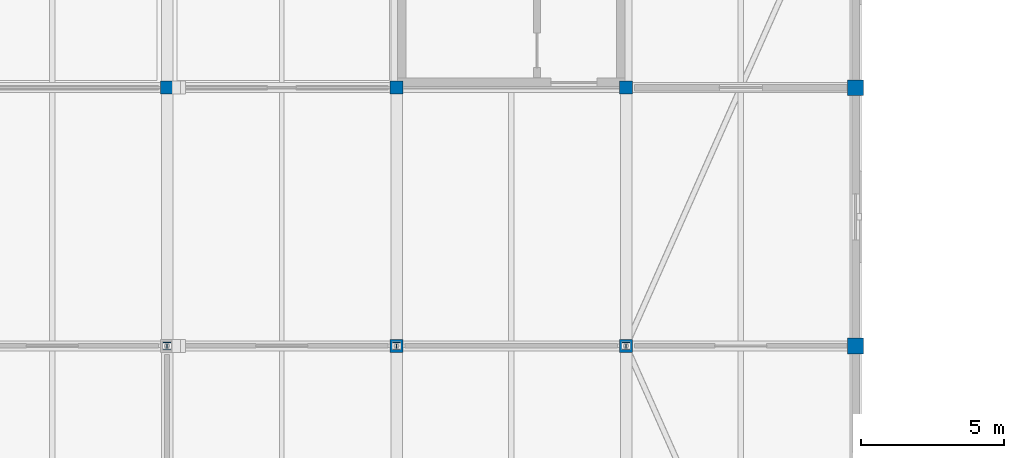
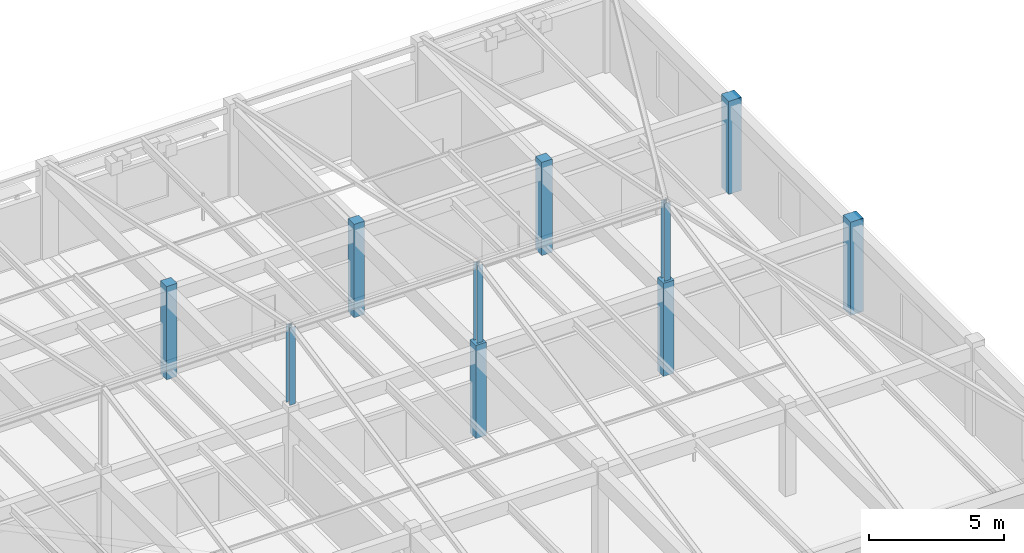
# One storey, part 5 of 126: 10 columns.
"""IFC4 building model written with IfcOpenShell, lengths in metres."""

from ifc_helpers import new_model, si_unit, direction, frame, origin, origin_2d, place, context, subcontext, project, spatial, rectangle, i_section, extrude, material, material_profile, profile_set, type_object, element, save


model = new_model("IFC4")

# Units and contexts
model_context = context("Model", 3, precision=1e-05, world=origin(), true_north=direction((0.0, 1.0)))
body_context = subcontext(model_context, "Body", "Model", "MODEL_VIEW")
ifc_project = project(units=[si_unit("LENGTHUNIT", "METRE"), si_unit("AREAUNIT", "SQUARE_METRE"), si_unit("VOLUMEUNIT", "CUBIC_METRE"), si_unit("PLANEANGLEUNIT", "RADIAN"), si_unit("MASSUNIT", "GRAM", prefix="KILO")], contexts=[model_context])

# Site, building, storey
site_placement = place(None, origin())
site = spatial("IfcSite", under=ifc_project, at=site_placement, CompositionType="ELEMENT")
building_placement = place(site_placement, origin())
building = spatial("IfcBuilding", under=site, at=building_placement, Name="Varnabhumi Central Station", CompositionType="ELEMENT")
storey_placement = place(building_placement, frame((0.0, 0.0, 16.199951171875)))
storey = spatial("IfcBuildingStorey", under=building, at=storey_placement, Name="L03", CompositionType="ELEMENT", Elevation=16.199951171875)

# Columns
ifc_material_1 = material(Name="Concrete M40", Category="concrete")
ifc_material_profile_1 = material_profile(ifc_material_1, rectangle(XDim=0.449951171875, YDim=0.449951171875, at=origin_2d()), Name="Concrete M40", Category="concrete")
ifc_profile_set_1 = profile_set([ifc_material_profile_1], Name="Concrete M40")
column_type_1 = type_object("IfcColumnType", Name="COL-RC-450", PredefinedType="COLUMN", material=ifc_profile_set_1)
for number, where, z_axis, x_axis, name in (
    (1, (120.0, 107.0, 0.0), (0.0, 0.0, 1.0), (1.0, 0.0, 0.0), "Column L03-16N"),
    (2, (128.0, 98.0, 0.0), (0.0, 0.0, 1.0), (1.0, 0.0, 0.0), "Column L03-17M"),
    (3, (128.0, 107.0, 0.0), (0.0, 0.0, 1.0), (1.0, 0.0, 0.0), "Column L03-17N"),
    (4, (136.0, 98.0, 0.0), (0.0, 0.0, 1.0), (1.0, 0.0, 0.0), "Column L03-18M"),
    (5, (136.0, 107.0, 0.0), (0.0, 0.0, 1.0), (1.0, 0.0, 0.0), "Column L03-18N"),
):
    element("IfcColumn", number, at=place(storey_placement, frame(where, z_axis=z_axis, x_axis=x_axis)), inside=storey, type_object=column_type_1, Name=name, PredefinedType="COLUMN", context=body_context, shape_type="SweptSolid", body=[
        extrude(rectangle(XDim=0.449951171875, YDim=0.449951171875, at=origin_2d()), origin(), (0.0, 0.0, 1.0), 4.199951171875),
    ])
ifc_material_profile_2 = material_profile(ifc_material_1, rectangle(XDim=0.550048828125, YDim=0.550048828125, at=origin_2d()), Name="Concrete M40", Category="concrete")
ifc_profile_set_2 = profile_set([ifc_material_profile_2], Name="Concrete M40")
column_type_2 = type_object("IfcColumnType", Name="COL-RC-550", PredefinedType="COLUMN", material=ifc_profile_set_2)
for number, where, z_axis, x_axis, name in (
    (6, (144.0, 98.0, 0.0), (0.0, 0.0, 1.0), (1.0, 0.0, 0.0), "Column L03-19M"),
    (7, (144.0, 107.0, 0.0), (0.0, 0.0, 1.0), (1.0, 0.0, 0.0), "Column L03-19N"),
):
    element("IfcColumn", number, at=place(storey_placement, frame(where, z_axis=z_axis, x_axis=x_axis)), inside=storey, type_object=column_type_2, Name=name, PredefinedType="COLUMN", context=body_context, shape_type="SweptSolid", body=[
        extrude(rectangle(XDim=0.550048828125, YDim=0.550048828125, at=origin_2d()), origin(), (0.0, 0.0, 1.0), 4.199951171875),
    ])
ifc_material_2 = material(Name="Structural steel E350", Category="steel")
ifc_material_profile_3 = material_profile(ifc_material_2, i_section(OverallWidth=0.25, OverallDepth=0.25, WebThickness=0.0087890625, FlangeThickness=0.009765625, FilletRadius=0.010009765625, at=origin_2d()), Name="Structural steel E350", Category="steel")
ifc_profile_set_3 = profile_set([ifc_material_profile_3], Name="Structural steel E350")
column_type_3 = type_object("IfcColumnType", Name="COL-STL-ISHB250", PredefinedType="COLUMN", material=ifc_profile_set_3)
for number, where, z_axis, x_axis, name in (
    (8, (120.0, 98.0, 4.199951171875), (0.0, 0.0, 1.0), (1.0, 0.0, 0.0), "Roof Ridge King-Post NW4-4"),
    (9, (128.0, 98.0, 4.199951171875), (0.0, 0.0, 1.0), (1.0, 0.0, 0.0), "Roof Ridge King-Post NW4-5"),
    (10, (136.0, 98.0, 4.199951171875), (0.0, 0.0, 1.0), (1.0, 0.0, 0.0), "Roof Ridge King-Post NW4-6"),
):
    element("IfcColumn", number, at=place(storey_placement, frame(where, z_axis=z_axis, x_axis=x_axis)), inside=storey, type_object=column_type_3, Name=name, PredefinedType="COLUMN", context=body_context, shape_type="SweptSolid", body=[
        extrude(i_section(OverallWidth=0.25, OverallDepth=0.25, WebThickness=0.0087890625, FlangeThickness=0.009765625, FilletRadius=0.010009765625, at=origin_2d()), origin(), (0.0, 0.0, 1.0), 3.5),
    ])

save(model, "model.ifc")
